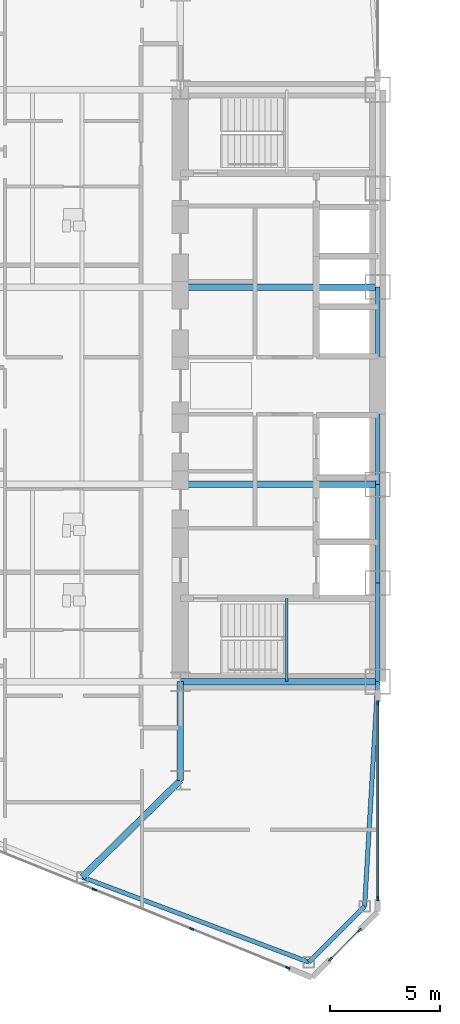
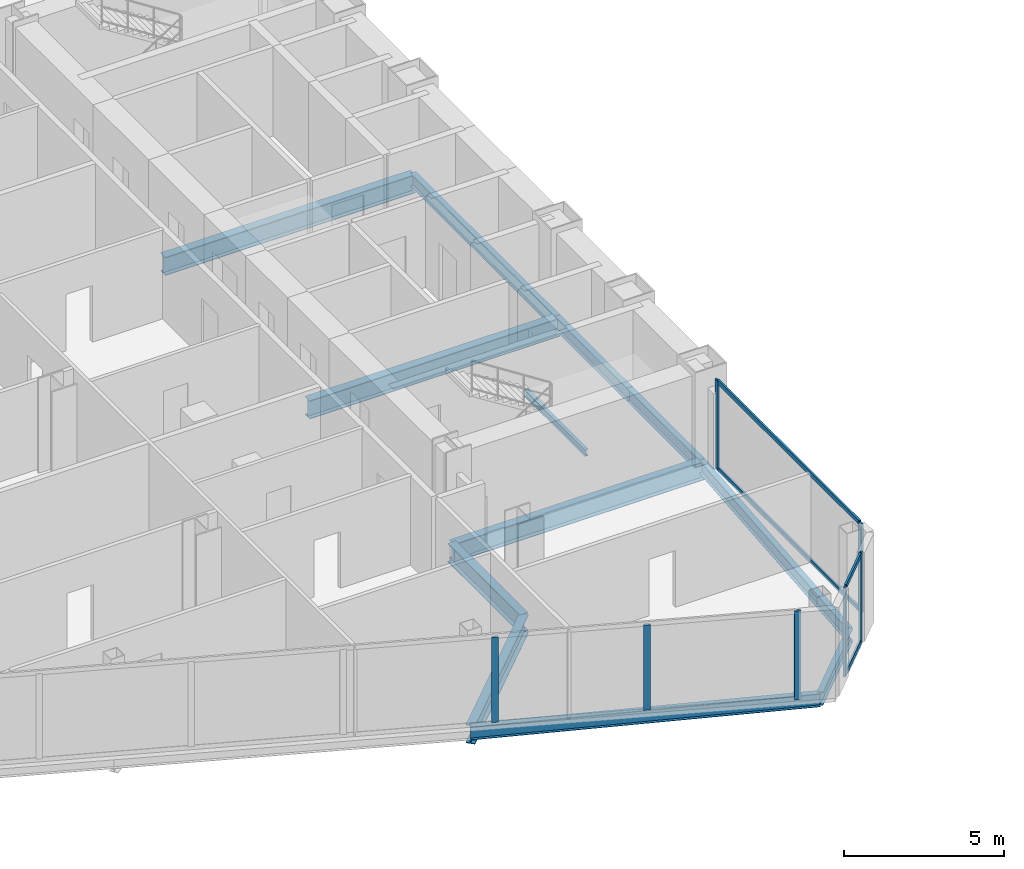
# One storey, part 5 of 25: 12 beams, 11 members, 3 elements without a shape of their own.
"""IFC4 building model written with IfcOpenShell, lengths in metres."""

from ifc_helpers import new_model, si_unit, direction, frame, origin, origin_2d, place, context, subcontext, project, spatial, rectangle, i_section, extrude, source, transform, mapped, material, layer, layer_set, material_profile, profile_set, type_object, type_shapes, element, aggregate, save


model = new_model("IFC4")

# Units and contexts
model_context = context("Model", 3, precision=1e-05, world=origin(), true_north=direction((0.0, 1.0)))
body_context = subcontext(model_context, "Body", "Model", "MODEL_VIEW")
ifc_project = project(units=[si_unit("LENGTHUNIT", "METRE"), si_unit("AREAUNIT", "SQUARE_METRE"), si_unit("VOLUMEUNIT", "CUBIC_METRE"), si_unit("PLANEANGLEUNIT", "RADIAN"), si_unit("MASSUNIT", "GRAM", prefix="KILO")], contexts=[model_context])

# Site, building, storey
site_placement = place(None, origin())
site = spatial("IfcSite", under=ifc_project, at=site_placement, CompositionType="ELEMENT")
building_placement = place(site_placement, origin())
building = spatial("IfcBuilding", under=site, at=building_placement, Name="Seokmaru Belvedere", CompositionType="ELEMENT")
storey_placement = place(building_placement, frame((0.0, 0.0, 47.699951171875)))
storey = spatial("IfcBuildingStorey", under=building, at=storey_placement, Name="L12", CompositionType="ELEMENT", Elevation=47.699951171875)

# Beams
ifc_material_1 = material(Name="Steel SM355 (355 MPa)", Category="steel")
ifc_material_profile_1 = material_profile(ifc_material_1, i_section(OverallWidth=0.199951171875, OverallDepth=0.5, WebThickness=0.010009765625, FlangeThickness=0.01611328125, at=origin_2d()), Name="H-500x200x10x16")
ifc_profile_set_1 = profile_set([ifc_material_profile_1], Name="Steel SM355 (355 MPa)")
beam_type_1 = type_object("IfcBeamType", Name="Perimeter Spandrel Beam H-500", PredefinedType="SPANDREL", material=ifc_profile_set_1)
shared_shape_1 = source(origin(), body_context, "Body", "SweptSolid", [
    extrude(i_section(OverallWidth=0.199951171875, OverallDepth=0.5, WebThickness=0.010009765625, FlangeThickness=0.01611328125, at=origin_2d()), origin(), (0.0, 0.0, 1.0), 4.5),
])
for number, where, z_axis, x_axis, name in (
    (1, (-27.5, -13.5, -0.469970703125), (0.0, 1.0, 0.0), (-1.0, 0.0, 0.0), "L12 W Portal Spine Spandrel 1"),
    (2, (-27.5, -9.0, -0.469970703125), (0.0, 1.0, 0.0), (-1.0, 0.0, 0.0), "L12 W Portal Spine Spandrel 2"),
):
    element("IfcBeam", number, at=place(storey_placement, frame(where, z_axis=z_axis, x_axis=x_axis)), inside=storey, type_object=beam_type_1, Name=name, PredefinedType="SPANDREL", context=body_context, shape_type="MappedRepresentation", body=[
        mapped(shared_shape_1, transform((0.0, 0.0, 0.0), scale=1.0)),
    ])
shared_shape_2 = source(origin(), body_context, "Body", "SweptSolid", [
    extrude(i_section(OverallWidth=0.199951171875, OverallDepth=0.5, WebThickness=0.010009765625, FlangeThickness=0.01611328125, at=origin_2d()), origin(), (0.0, 0.0, 1.0), 9.0),
])
beam_1_placement = place(storey_placement, frame((-27.5, -4.5, -0.469970703125), z_axis=(0.0, 1.0, 0.0), x_axis=(-1.0, 0.0, 0.0)))
element("IfcBeam", 3, at=beam_1_placement, inside=storey, type_object=beam_type_1, Name="L12 W Portal Spine Spandrel 3", PredefinedType="SPANDREL", context=body_context, shape_type="MappedRepresentation", body=[
    mapped(shared_shape_2, transform((0.0, 0.0, 0.0), scale=1.0)),
])
ifc_material_profile_2 = material_profile(ifc_material_1, i_section(OverallWidth=0.300048828125, OverallDepth=0.699951171875, WebThickness=0.012939453125, FlangeThickness=0.02392578125, at=origin_2d()), Name="H-700x300x13x24")
ifc_profile_set_2 = profile_set([ifc_material_profile_2], Name="Steel SM355 (355 MPa)")
beam_type_2 = type_object("IfcBeamType", Name="Primary Floor Girder H-700", PredefinedType="BEAM", material=ifc_profile_set_2)
shared_shape_3 = source(origin(), body_context, "Body", "SweptSolid", [
    extrude(i_section(OverallWidth=0.300048828125, OverallDepth=0.699951171875, WebThickness=0.012939453125, FlangeThickness=0.02392578125, at=origin_2d()), origin(), (0.0, 0.0, 1.0), 4.5),
])
beam_2_placement = place(storey_placement, frame((-36.5, -18.0, -0.570068359375), z_axis=(0.0, 1.0, 0.0), x_axis=(-1.0, 0.0, 0.0)))
element("IfcBeam", 4, at=beam_2_placement, inside=storey, type_object=beam_type_2, Name="L12 W Core Shoulder Girder S", PredefinedType="BEAM", context=body_context, shape_type="MappedRepresentation", body=[
    mapped(shared_shape_3, transform((0.0, 0.0, 0.0), scale=1.0)),
])
shared_shape_4 = source(origin(), body_context, "Body", "SweptSolid", [
    extrude(i_section(OverallWidth=0.300048828125, OverallDepth=0.699951171875, WebThickness=0.012939453125, FlangeThickness=0.02392578125, at=origin_2d()), origin(), (0.0, 0.0, 1.0), 9.0),
])
for number, where, z_axis, x_axis, name in (
    (5, (-36.5, -13.5, -0.570068359375), (1.0, 0.0, 0.0), (0.0, 1.0, 0.0), "L12 W Core Tie Girder 1"),
    (6, (-36.5, -4.5, -0.570068359375), (1.0, 0.0, 0.0), (0.0, 1.0, 0.0), "L12 W Core Tie Girder 2"),
    (7, (-36.5, 4.5, -0.570068359375), (1.0, 0.0, 0.0), (0.0, 1.0, 0.0), "L12 W Core Tie Girder 3"),
):
    element("IfcBeam", number, at=place(storey_placement, frame(where, z_axis=z_axis, x_axis=x_axis)), inside=storey, type_object=beam_type_2, Name=name, PredefinedType="BEAM", context=body_context, shape_type="MappedRepresentation", body=[
        mapped(shared_shape_4, transform((0.0, 0.0, 0.0), scale=1.0)),
    ])
shared_shape_5 = source(origin(), body_context, "Body", "SweptSolid", [
    extrude(i_section(OverallWidth=0.199951171875, OverallDepth=0.5, WebThickness=0.010009765625, FlangeThickness=0.01611328125, at=origin_2d()), origin(), (0.0, 0.0, 1.0), 11.03857421875),
])
beam_3_placement = place(storey_placement, frame((-30.643310546875, -26.294677734375, -0.469970703125), z_axis=(-0.936169110734, 0.351549990907, 0.0), x_axis=(-0.351549990907, -0.936169110734, 0.0)))
element("IfcBeam", 8, at=beam_3_placement, inside=storey, type_object=beam_type_1, Name="L12 W Faceted Flank Spandrel S-1", PredefinedType="SPANDREL", context=body_context, shape_type="MappedRepresentation", body=[
    mapped(shared_shape_5, transform((0.0, 0.0, 0.0), scale=1.0)),
])
shared_shape_6 = source(origin(), body_context, "Body", "SweptSolid", [
    extrude(i_section(OverallWidth=0.199951171875, OverallDepth=0.5, WebThickness=0.010009765625, FlangeThickness=0.01611328125, at=origin_2d()), origin(), (0.0, 0.0, 1.0), 3.5966796875),
])
beam_4_placement = place(storey_placement, frame((-30.643310546875, -26.294677734375, -0.469970703125), z_axis=(0.707106781187, 0.707106781187, 0.0), x_axis=(-0.707106781187, 0.707106781187, 0.0)))
element("IfcBeam", 9, at=beam_4_placement, inside=storey, type_object=beam_type_1, Name="L12 W Shoulder Chamfer Spandrel S", PredefinedType="SPANDREL", context=body_context, shape_type="MappedRepresentation", body=[
    mapped(shared_shape_6, transform((0.0, 0.0, 0.0), scale=1.0)),
])
shared_shape_7 = source(origin(), body_context, "Body", "SweptSolid", [
    extrude(i_section(OverallWidth=0.199951171875, OverallDepth=0.5, WebThickness=0.010009765625, FlangeThickness=0.01611328125, at=origin_2d()), origin(), (0.0, 0.0, 1.0), 10.26904296875),
])
type_shapes(beam_type_1, [shared_shape_1, shared_shape_2, shared_shape_5, shared_shape_6, shared_shape_7])
beam_5_placement = place(storey_placement, frame((-28.10009765625, -23.75146484375, -0.469970703125), z_axis=(0.058437709399, 0.998291056817, 0.0), x_axis=(-0.998291056817, 0.058437709399, 0.0)))
element("IfcBeam", 10, at=beam_5_placement, inside=storey, type_object=beam_type_1, Name="L12 W Shoulder Spine Spandrel S", PredefinedType="SPANDREL", context=body_context, shape_type="MappedRepresentation", body=[
    mapped(shared_shape_7, transform((0.0, 0.0, 0.0), scale=1.0)),
])
shared_shape_8 = source(origin(), body_context, "Body", "SweptSolid", [
    extrude(i_section(OverallWidth=0.300048828125, OverallDepth=0.699951171875, WebThickness=0.012939453125, FlangeThickness=0.02392578125, at=origin_2d()), origin(), (0.0, 0.0, 1.0), 6.287353515625),
])
type_shapes(beam_type_2, [shared_shape_3, shared_shape_4, shared_shape_8])
beam_6_placement = place(storey_placement, frame((-40.977294921875, -22.4140625, -0.570068359375), z_axis=(0.712117485263, 0.702060315915, 0.0), x_axis=(-0.702060315915, 0.712117485263, 0.0)))
element("IfcBeam", 11, at=beam_6_placement, inside=storey, type_object=beam_type_2, Name="L12 W Flank Radial Floor Girder S-1", PredefinedType="BEAM", context=body_context, shape_type="MappedRepresentation", body=[
    mapped(shared_shape_8, transform((0.0, 0.0, 0.0), scale=1.0)),
])

# Curtain wall, members
ifc_material_2 = material(Name="Bronze Triple Insulating Glass", Category="glass")
ifc_layer = layer(ifc_material_2, 0.2099609375)
ifc_layer_set = layer_set([ifc_layer], Name="Bronze Triple Insulating Glass")
curtain_wall_type = type_object("IfcCurtainWallType", Name="Low-Rise Faceted Crystal Curtain Wall System CW-2", PredefinedType="NOTDEFINED", material=ifc_layer_set)
curtain_wall_1_placement = place(storey_placement, origin())
curtain_wall_1 = element("IfcCurtainWall", 12, at=curtain_wall_1_placement, inside=storey, type_object=curtain_wall_type, Name="L12 Curtain Wall WSP_1", PredefinedType="NOTDEFINED")
ifc_material_3 = material(Name="Anodised Bronze Aluminium", Category="aluminium")
ifc_material_profile_3 = material_profile(ifc_material_3, rectangle(XDim=0.074951171875, YDim=0.2099609375, at=origin_2d()), Name="CW-M-75x210")
ifc_profile_set_3 = profile_set([ifc_material_profile_3], Name="Anodised Bronze Aluminium")
member_type_1 = type_object("IfcMemberType", Name="Bronze Unitised Mullion 75x210", PredefinedType="MULLION", material=ifc_profile_set_3)
shared_shape_9 = source(origin(), body_context, "Body", "SweptSolid", [
    extrude(rectangle(XDim=0.074951171875, YDim=0.2099609375, at=origin_2d()), origin(), (0.0, 0.0, 1.0), 3.380126953125),
])
member_1_placement = place(storey_placement, frame((-27.5, -23.392578125, 0.0), z_axis=(0.0, 0.0, 1.0), x_axis=(-1.0, 0.0, 0.0)))
member_1 = element("IfcMember", 13, at=member_1_placement, type_object=member_type_1, Name="CW:L12:WSP_1 Mullion 1", PredefinedType="MULLION", context=body_context, shape_type="MappedRepresentation", body=[
    mapped(shared_shape_9, transform((0.0, 0.0, 0.0), scale=1.0)),
])
member_2_placement = place(storey_placement, frame((-27.5, -14.467529296875, 0.0), z_axis=(0.0, 0.0, 1.0), x_axis=(-1.0, 0.0, 0.0)))
member_2 = element("IfcMember", 14, at=member_2_placement, type_object=member_type_1, Name="CW:L12:WSP_1 Mullion 2", PredefinedType="MULLION", context=body_context, shape_type="MappedRepresentation", body=[
    mapped(shared_shape_9, transform((0.0, 0.0, 0.0), scale=1.0)),
])

# Curtain wall, member
curtain_wall_2_placement = place(storey_placement, origin())
curtain_wall_2 = element("IfcCurtainWall", 15, at=curtain_wall_2_placement, inside=storey, type_object=curtain_wall_type, Name="L12 Curtain Wall WF5", PredefinedType="NOTDEFINED")
member_3_placement = place(storey_placement, frame((-31.600830078125, -26.554443359375, 0.0), z_axis=(0.0, 0.0, 1.0), x_axis=(0.375192321888, 0.926946989637, 0.0)))
member_3 = element("IfcMember", 16, at=member_3_placement, type_object=member_type_1, Name="CW:L12:WF5 Mullion 10", PredefinedType="MULLION", context=body_context, shape_type="MappedRepresentation", body=[
    mapped(shared_shape_9, transform((0.0, 0.0, 0.0), scale=1.0)),
])

# Curtain wall, members
curtain_wall_3_placement = place(storey_placement, origin())
curtain_wall_3 = element("IfcCurtainWall", 17, at=curtain_wall_3_placement, inside=storey, type_object=curtain_wall_type, Name="L12 Curtain Wall WF6", PredefinedType="NOTDEFINED")
member_4_placement = place(storey_placement, frame((-29.660400390625, -26.160400390625, 0.0), z_axis=(0.0, 0.0, 1.0), x_axis=(-0.707106781187, 0.707106781187, 0.0)))
member_4 = element("IfcMember", 18, at=member_4_placement, type_object=member_type_1, Name="CW:L12:WF6 Mullion 1", PredefinedType="MULLION", context=body_context, shape_type="MappedRepresentation", body=[
    mapped(shared_shape_9, transform((0.0, 0.0, 0.0), scale=1.0)),
])
member_5_placement = place(storey_placement, frame((-28.339599609375, -24.839599609375, 0.0), z_axis=(0.0, 0.0, 1.0), x_axis=(-0.707106781187, 0.707106781187, 0.0)))
member_5 = element("IfcMember", 19, at=member_5_placement, type_object=member_type_1, Name="CW:L12:WF6 Mullion 2", PredefinedType="MULLION", context=body_context, shape_type="MappedRepresentation", body=[
    mapped(shared_shape_9, transform((0.0, 0.0, 0.0), scale=1.0)),
])

# Member
ifc_material_profile_4 = material_profile(ifc_material_3, rectangle(XDim=0.070068359375, YDim=0.1650390625, at=origin_2d()), Name="CW-T-70x165")
ifc_profile_set_4 = profile_set([ifc_material_profile_4], Name="Anodised Bronze Aluminium")
member_type_2 = type_object("IfcMemberType", Name="Bronze Unitised Transom 70x165", PredefinedType="USERDEFINED", material=ifc_profile_set_4)
shared_shape_10 = source(origin(), body_context, "Body", "SweptSolid", [
    extrude(rectangle(XDim=0.070068359375, YDim=0.1650390625, at=origin_2d()), origin(), (0.0, 0.0, 1.0), 8.85009765625),
])
member_6_placement = place(storey_placement, frame((-27.5, -23.35498046875, 0.03515625), z_axis=(0.0, 1.0, 0.0), x_axis=(-1.0, 0.0, 0.0)))
member_6 = element("IfcMember", 20, at=member_6_placement, type_object=member_type_2, Name="CW:L12:WSP_1 Continuous Transom 1", ObjectType="TRANSOM", PredefinedType="USERDEFINED", context=body_context, shape_type="MappedRepresentation", body=[
    mapped(shared_shape_10, transform((0.0, 0.0, 0.0), scale=1.0)),
])

member_7_placement = place(storey_placement, frame((-27.5, -23.35498046875, 3.344970703125), z_axis=(0.0, 1.0, 0.0), x_axis=(-1.0, 0.0, 0.0)))
member_7 = element("IfcMember", 21, at=member_7_placement, type_object=member_type_2, Name="CW:L12:WSP_1 Continuous Transom 2", ObjectType="TRANSOM", PredefinedType="USERDEFINED", context=body_context, shape_type="MappedRepresentation", body=[
    mapped(shared_shape_10, transform((0.0, 0.0, 0.0), scale=1.0)),
])

aggregate(curtain_wall_1, [member_1, member_2, member_6, member_7])

shared_shape_11 = source(origin(), body_context, "Body", "SweptSolid", [
    extrude(rectangle(XDim=0.070068359375, YDim=0.1650390625, at=origin_2d()), origin(), (0.0, 0.0, 1.0), 1.792724609375),
])
type_shapes(member_type_2, [shared_shape_10, shared_shape_11])
member_8_placement = place(storey_placement, frame((-29.6337890625, -26.1337890625, 0.03515625), z_axis=(0.707106781187, 0.707106781187, 0.0), x_axis=(-0.707106781187, 0.707106781187, 0.0)))
member_8 = element("IfcMember", 22, at=member_8_placement, type_object=member_type_2, Name="CW:L12:WF6 Continuous Transom 1", ObjectType="TRANSOM", PredefinedType="USERDEFINED", context=body_context, shape_type="MappedRepresentation", body=[
    mapped(shared_shape_11, transform((0.0, 0.0, 0.0), scale=1.0)),
])

member_9_placement = place(storey_placement, frame((-29.6337890625, -26.1337890625, 3.344970703125), z_axis=(0.707106781187, 0.707106781187, 0.0), x_axis=(-0.707106781187, 0.707106781187, 0.0)))
member_9 = element("IfcMember", 23, at=member_9_placement, type_object=member_type_2, Name="CW:L12:WF6 Continuous Transom 2", ObjectType="TRANSOM", PredefinedType="USERDEFINED", context=body_context, shape_type="MappedRepresentation", body=[
    mapped(shared_shape_11, transform((0.0, 0.0, 0.0), scale=1.0)),
])

aggregate(curtain_wall_3, [member_4, member_5, member_8, member_9])

shared_shape_12 = source(origin(), body_context, "Body", "SweptSolid", [
    extrude(rectangle(XDim=0.074951171875, YDim=0.2099609375, at=origin_2d()), origin(), (0.0, 0.0, 1.0), 3.239990234375),
])
type_shapes(member_type_1, [shared_shape_9, shared_shape_12])
member_10_placement = place(storey_placement, frame((-40.425537109375, -22.982421875, 0.070068359375), z_axis=(0.0, 0.0, 1.0), x_axis=(0.375192321888, 0.926946989637, 0.0)))
member_10 = element("IfcMember", 24, at=member_10_placement, type_object=member_type_1, Name="CW:L12:WF5 Mullion 8", PredefinedType="MULLION", context=body_context, shape_type="MappedRepresentation", body=[
    mapped(shared_shape_12, transform((0.0, 0.0, 0.0), scale=1.0)),
])

member_11_placement = place(storey_placement, frame((-35.995849609375, -24.775390625, 0.070068359375), z_axis=(0.0, 0.0, 1.0), x_axis=(0.375192321888, 0.926946989637, 0.0)))
member_11 = element("IfcMember", 25, at=member_11_placement, type_object=member_type_1, Name="CW:L12:WF5 Mullion 9", PredefinedType="MULLION", context=body_context, shape_type="MappedRepresentation", body=[
    mapped(shared_shape_12, transform((0.0, 0.0, 0.0), scale=1.0)),
])

aggregate(curtain_wall_2, [member_10, member_11, member_3])

# Beam
ifc_material_profile_5 = material_profile(ifc_material_1, i_section(OverallWidth=0.125, OverallDepth=0.25, WebThickness=0.006103515625, FlangeThickness=0.009033203125, at=origin_2d()), Name="H-250x125x6x9")
ifc_profile_set_5 = profile_set([ifc_material_profile_5], Name="Steel SM355 (355 MPa)")
beam_type_3 = type_object("IfcBeamType", Name="Stair Mid-Landing Support Beam H-250", PredefinedType="JOIST", material=ifc_profile_set_5)
shared_shape_13 = source(origin(), body_context, "Body", "SweptSolid", [
    extrude(i_section(OverallWidth=0.125, OverallDepth=0.25, WebThickness=0.006103515625, FlangeThickness=0.009033203125, at=origin_2d()), origin(), (0.0, 0.0, 1.0), 3.800048828125),
])
type_shapes(beam_type_3, [shared_shape_13])
beam_7_placement = place(storey_placement, frame((-31.64990234375, -13.5, 1.47509765625), z_axis=(0.0, 1.0, 0.0), x_axis=(-1.0, 0.0, 0.0)))
element("IfcBeam", 26, at=beam_7_placement, inside=storey, type_object=beam_type_3, Name="L12 Stair ST-W1 Mid-Landing Support Beam 1", PredefinedType="JOIST", context=body_context, shape_type="MappedRepresentation", body=[
    mapped(shared_shape_13, transform((0.0, 0.0, 0.0), scale=1.0)),
])

save(model, "model.ifc")
